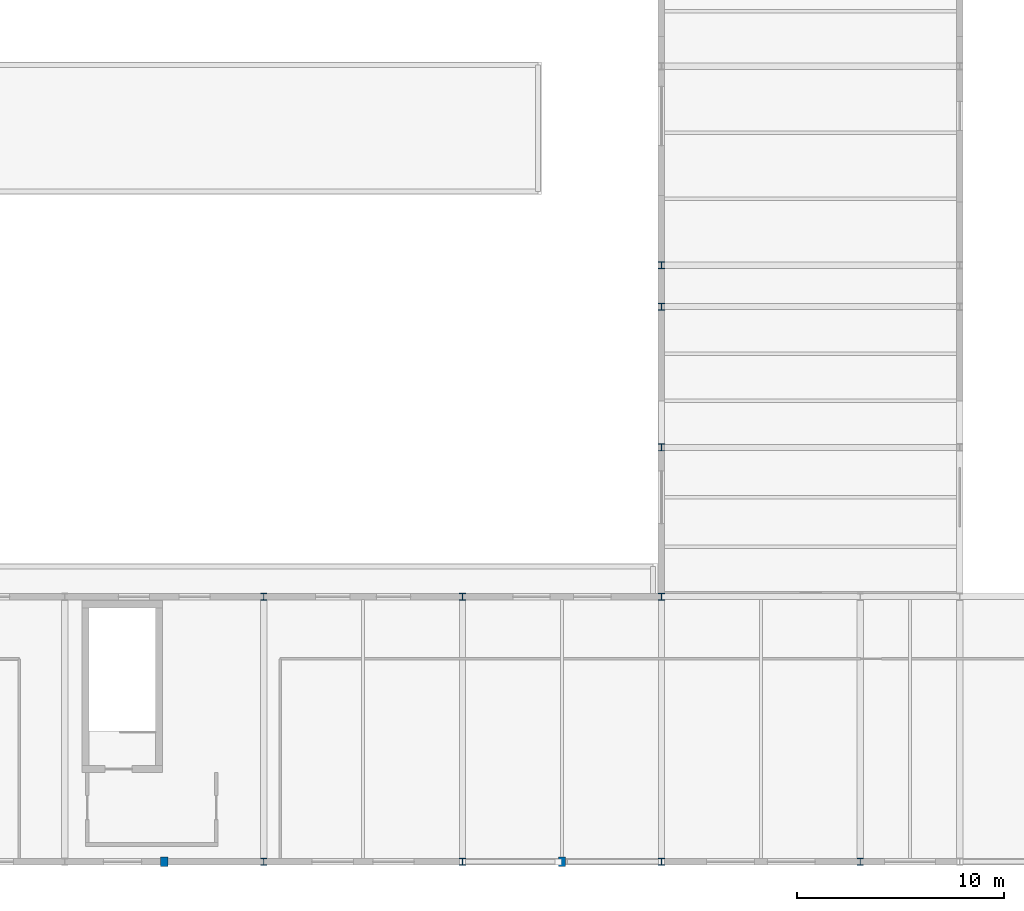
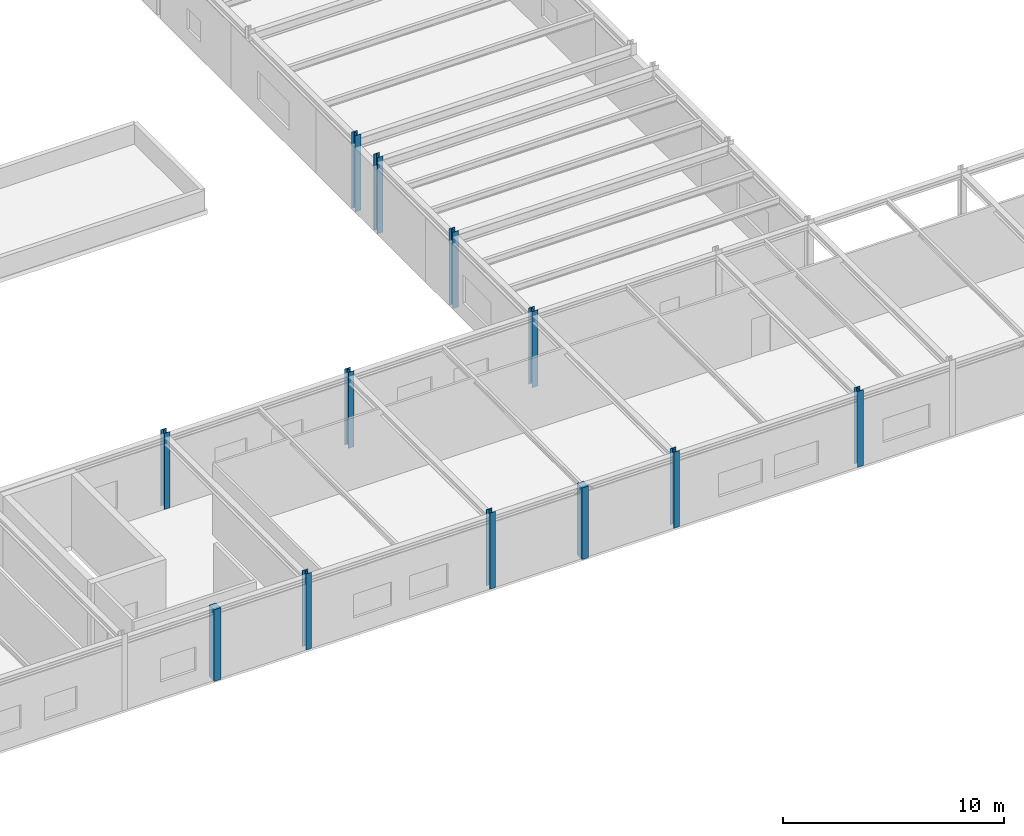
# One storey, part 5 of 99: 12 columns.
"""IFC4 building model written with IfcOpenShell, lengths in metres."""

import ifcopenshell
import ifcopenshell.guid

model = None  # the IFC model being written
_history = None  # IfcOwnerHistory: only IFC2X3 demands one
_inside = {}  # id of a spatial element -> (the spatial element, [elements in it])
_under = {}  # id of a project, library or spatial element -> (it, [spatial elements below it])
_declared = {}  # id of a project -> (the project, [libraries it declares])
_typed = {}  # id of a type object -> (the type object, [elements of that type])
_made_of = {}  # id of a material, layer set ... -> (it, [elements and type objects made of it])


def new_model(schema):
    """Start an empty IFC model of exactly this schema.

    Asked for "IFC4X3", IfcOpenShell would pick the latest addendum, in which some entities
    have other attributes; the version numbers below select the first issue.
    IFC2X3 requires an IfcOwnerHistory on every rooted entity: one is made here for all.
    """
    global model, _history
    if schema == "IFC4X3":
        model = ifcopenshell.file(schema_version=(4, 3, 0, 0))
    else:
        model = ifcopenshell.file(schema=schema)
    _inside.clear()
    _under.clear()
    _declared.clear()
    _typed.clear()
    _made_of.clear()
    _history = None
    if model.schema == "IFC2X3":
        org = make("IfcOrganization", Name="unknown")
        user = make(
            "IfcPersonAndOrganization",
            ThePerson=make("IfcPerson", FamilyName="unknown"),
            TheOrganization=org,
        )
        app = make(
            "IfcApplication",
            ApplicationDeveloper=org,
            Version="unknown",
            ApplicationFullName="unknown",
            ApplicationIdentifier="unknown",
        )
        _history = make(
            "IfcOwnerHistory",
            OwningUser=user,
            OwningApplication=app,
            ChangeAction="ADDED",
            CreationDate=0,
        )
    return model


def make(cls, **values):
    """One entity of the class cls with the attributes given. An attribute that is None is left unset."""
    return model.create_entity(
        cls, **{name: value for name, value in values.items() if value is not None}
    )


def rooted(cls, **values):
    """An entity with a GlobalId (a new one), such as an element, a storey or a relation."""
    return make(cls, GlobalId=ifcopenshell.guid.new(), OwnerHistory=_history, **values)


def si_unit(unit_type, name, prefix=None):
    """IfcSIUnit, for example si_unit("LENGTHUNIT", "METRE", prefix="MILLI")."""
    return make("IfcSIUnit", UnitType=unit_type, Prefix=prefix, Name=name)


def assignment(units):
    """IfcUnitAssignment: the units of a project."""
    return None if units is None else make("IfcUnitAssignment", Units=units)


def point(xyz):
    """IfcCartesianPoint."""
    return None if xyz is None else make("IfcCartesianPoint", Coordinates=xyz)


def direction(xyz):
    """IfcDirection."""
    return None if xyz is None else make("IfcDirection", DirectionRatios=xyz)


def frame(location, z_axis=None, x_axis=None):
    """IfcAxis2Placement3D, a coordinate frame: its origin and axes. An axis left out is left unset."""
    return make(
        "IfcAxis2Placement3D",
        Location=point(location),
        Axis=direction(z_axis),
        RefDirection=direction(x_axis),
    )


def frame_2d(location, x_axis=None):
    """IfcAxis2Placement2D, a coordinate frame in the plane: its origin and x axis."""
    return make(
        "IfcAxis2Placement2D", Location=point(location), RefDirection=direction(x_axis)
    )


def origin():
    """The frame at (0, 0, 0) with its axes left unset."""
    return frame((0.0, 0.0, 0.0))


def origin_2d():
    """The frame at (0, 0) in the plane with its x axis left unset."""
    return frame_2d((0.0, 0.0))


def place(relative_to, where):
    """IfcLocalPlacement: puts the frame where relative to a parent placement (None: the world)."""
    return make(
        "IfcLocalPlacement", PlacementRelTo=relative_to, RelativePlacement=where
    )


def context(
    kind, dimensions, precision=None, world=None, true_north=None, identifier=None
):
    """IfcGeometricRepresentationContext, for example the 3D "Model" context."""
    return make(
        "IfcGeometricRepresentationContext",
        ContextIdentifier=identifier,
        ContextType=kind,
        CoordinateSpaceDimension=dimensions,
        Precision=precision,
        WorldCoordinateSystem=world,
        TrueNorth=true_north,
    )


def subcontext(parent, identifier, kind, view, scale=None):
    """IfcGeometricRepresentationSubContext, for example "Body" below "Model"."""
    return make(
        "IfcGeometricRepresentationSubContext",
        ContextIdentifier=identifier,
        ContextType=kind,
        ParentContext=parent,
        TargetScale=scale,
        TargetView=view,
    )


def project(units=None, contexts=None):
    """IfcProject with its units and contexts."""
    return rooted(
        "IfcProject",
        Name="project",
        RepresentationContexts=contexts,
        UnitsInContext=assignment(units),
    )


def spatial(cls, under=None, at=None, **own):
    """A site, building, storey or space (cls), placed at a placement, below another one or the project."""
    s = rooted(cls, ObjectPlacement=at, **own)
    if under is not None:
        _under.setdefault(under.id(), (under, []))[1].append(s)
    return s


def profile(cls, at=None, kind="AREA", **sizes):
    """A parametric profile (cls). Its sizes go by their IFC names, for example OverallWidth=200.0."""
    return make(cls, ProfileType=kind, Position=at, **sizes)


def rectangle(**sizes):
    """IfcRectangleProfileDef."""
    return profile("IfcRectangleProfileDef", **sizes)


def i_section(**sizes):
    """IfcIShapeProfileDef."""
    return profile("IfcIShapeProfileDef", **sizes)


def extrude(swept, where, along, depth):
    """IfcExtrudedAreaSolid: the profile swept, set in the frame where, extruded along a direction by depth."""
    return make(
        "IfcExtrudedAreaSolid",
        SweptArea=swept,
        Position=where,
        ExtrudedDirection=direction(along),
        Depth=depth,
    )


def shape(context_of_items, identifier, shape_type, items):
    """IfcShapeRepresentation: the items that make up one representation, for example the "Body"."""
    return make(
        "IfcShapeRepresentation",
        ContextOfItems=context_of_items,
        RepresentationIdentifier=identifier,
        RepresentationType=shape_type,
        Items=items,
    )


def material(Name=None, Category=None):
    """IfcMaterial."""
    return make("IfcMaterial", Name=Name, Category=Category)


def material_profile(
    of_material, cross_section, Name=None, Category=None, Priority=None
):
    """IfcMaterialProfile: a cross section and its material."""
    return make(
        "IfcMaterialProfile",
        Name=Name,
        Material=of_material,
        Profile=cross_section,
        Priority=Priority,
        Category=Category,
    )


def profile_set(profiles, Name=None, composite=None):
    """IfcMaterialProfileSet."""
    return make(
        "IfcMaterialProfileSet",
        Name=Name,
        MaterialProfiles=profiles,
        CompositeProfile=composite,
    )


def made_of(thing, what):
    """Note that an element or type object is made of a material, layer set ...; save() writes the relation."""
    if what is not None:
        _made_of.setdefault(what.id(), (what, []))[1].append(thing)
    return thing


def type_object(cls, material=None, **own):
    """A type object (cls), such as IfcWallType, which elements share."""
    return made_of(rooted(cls, **own), material)


def element(
    cls,
    number,
    at=None,
    inside=None,
    cuts=None,
    type_object=None,
    material=None,
    context=None,
    identifier="Body",
    shape_type=None,
    held_by="IfcProductDefinitionShape",
    body=None,
    shapes=None,
    **own,
):
    """One element of the class cls, such as IfcWall. Its Tag is "e" and its number.

    at: its placement. inside: the storey or other place that contains it. cuts: it is an
    opening in that element (IfcRelVoidsElement). A single representation is given by context,
    identifier, shape_type and body (its items); several are given by shapes. held_by: the class
    of the entity that holds the representations. save() writes the other relations.
    """
    e = rooted(cls, Tag="e%d" % number, ObjectPlacement=at, **own)
    if body is not None:
        shapes = [shape(context, identifier, shape_type, body)]
    if shapes is not None:
        e.Representation = make(held_by, Representations=shapes)
    if inside is not None:
        _inside.setdefault(inside.id(), (inside, []))[1].append(e)
    if cuts is not None:
        rooted(
            "IfcRelVoidsElement", RelatingBuildingElement=cuts, RelatedOpeningElement=e
        )
    if type_object is not None:
        _typed.setdefault(type_object.id(), (type_object, []))[1].append(e)
    return made_of(e, material)


def aggregate(whole, parts):
    """IfcRelAggregates: a whole, such as a stair, and the parts it consists of."""
    return rooted("IfcRelAggregates", RelatingObject=whole, RelatedObjects=parts)


def save(model, path):
    """Write the relations noted so far, then the file.

    IfcRelAggregates (storeys below a building ...), IfcRelContainedInSpatialStructure (elements
    in a storey), IfcRelDefinesByType, IfcRelAssociatesMaterial and IfcRelDeclares: one each for
    every whole, place, type object, material and project.
    """
    for whole, parts in _under.values():
        aggregate(whole, parts)
    for where, things in _inside.values():
        rooted(
            "IfcRelContainedInSpatialStructure",
            RelatedElements=things,
            RelatingStructure=where,
        )
    for kind, things in _typed.values():
        rooted("IfcRelDefinesByType", RelatedObjects=things, RelatingType=kind)
    for what, things in _made_of.values():
        rooted("IfcRelAssociatesMaterial", RelatedObjects=things, RelatingMaterial=what)
    for by, libraries in _declared.values():
        rooted("IfcRelDeclares", RelatingContext=by, RelatedDefinitions=libraries)
    model.write(path)


model = new_model("IFC4")

# Units and contexts
model_context = context("Model", 3, precision=1e-05, world=origin(), true_north=direction((0.0, 1.0)))
body_context = subcontext(model_context, "Body", "Model", "MODEL_VIEW")
ifc_project = project(units=[si_unit("LENGTHUNIT", "METRE"), si_unit("AREAUNIT", "SQUARE_METRE"), si_unit("VOLUMEUNIT", "CUBIC_METRE"), si_unit("PLANEANGLEUNIT", "RADIAN"), si_unit("MASSUNIT", "GRAM", prefix="KILO")], contexts=[model_context])

# Site, building, storey
site_placement = place(None, origin())
site = spatial("IfcSite", under=ifc_project, at=site_placement, CompositionType="ELEMENT")
building_placement = place(site_placement, origin())
building = spatial("IfcBuilding", under=site, at=building_placement, Name="Nordkorset Police Headquarters", CompositionType="ELEMENT")
storey_placement = place(building_placement, frame((0.0, 0.0, 5.25)))
storey = spatial("IfcBuildingStorey", under=building, at=storey_placement, Name="L01", CompositionType="ELEMENT", Elevation=5.25)

# Columns
ifc_material_1 = material(Name="Steel S355J2", Category="steel")
ifc_material_profile_1 = material_profile(ifc_material_1, i_section(OverallWidth=0.300048828125, OverallDepth=0.340087890625, WebThickness=0.011962890625, FlangeThickness=0.021484375, FilletRadius=0.027099609375, at=origin_2d()), Name="HEB 340")
ifc_profile_set_1 = profile_set([ifc_material_profile_1], Name="Steel S355J2")
column_type_1 = type_object("IfcColumnType", Name="Col_HEB_340", PredefinedType="COLUMN", material=ifc_profile_set_1)
for number, where, z_axis, x_axis, name in (
    (1, (67.199951171875, 0.0, 0.0), (0.0, 0.0, 1.0), (1.0, 0.0, 0.0), "Structural Column V7_S0_7 L01"),
    (2, (67.199951171875, 12.800048828125, 0.0), (0.0, 0.0, 1.0), (1.0, 0.0, 0.0), "Structural Column V7_S1_7 L01"),
    (3, (76.800048828125, 0.0, 0.0), (0.0, 0.0, 1.0), (1.0, 0.0, 0.0), "Structural Column V7_S0_8 L01"),
    (4, (76.800048828125, 12.800048828125, 0.0), (0.0, 0.0, 1.0), (1.0, 0.0, 0.0), "Structural Column V7_S1_8 L01"),
    (5, (86.39990234375, 0.0, 0.0), (0.0, 0.0, 1.0), (1.0, 0.0, 0.0), "Structural Column V7_S0_9 L01"),
    (6, (86.39990234375, 12.800048828125, 0.0), (0.0, 0.0, 1.0), (1.0, 0.0, 0.0), "Structural Column V7_S1_9 L01"),
    (7, (96.0, 0.0, 0.0), (0.0, 0.0, 1.0), (1.0, 0.0, 0.0), "Structural Column V7_S0_10 L01"),
    (8, (86.39990234375, 20.0, 0.0), (0.0, 0.0, 1.0), (1.0, 0.0, 0.0), "Structural Column V7_EC_0_200 L01"),
    (9, (86.39990234375, 26.800048828125, 0.0), (0.0, 0.0, 1.0), (1.0, 0.0, 0.0), "Structural Column V7_EC_0_268 L01"),
    (10, (86.39990234375, 28.800048828125, 0.0), (0.0, 0.0, 1.0), (1.0, 0.0, 0.0), "Structural Column V7_EC_0_288 L01"),
):
    element("IfcColumn", number, at=place(storey_placement, frame(where, z_axis=z_axis, x_axis=x_axis)), inside=storey, type_object=column_type_1, Name=name, PredefinedType="COLUMN", context=body_context, shape_type="SweptSolid", body=[
        extrude(i_section(OverallWidth=0.300048828125, OverallDepth=0.340087890625, WebThickness=0.011962890625, FlangeThickness=0.021484375, FilletRadius=0.027099609375, at=origin_2d()), origin(), (0.0, 0.0, 1.0), 4.199951171875),
    ])
ifc_material_2 = material(Name="Concrete C45/55", Category="concrete")
ifc_material_profile_2 = material_profile(ifc_material_2, rectangle(XDim=0.35009765625, YDim=0.449951171875, at=origin_2d()), Name="RC 450x350")
ifc_profile_set_2 = profile_set([ifc_material_profile_2], Name="Concrete C45/55")
column_type_2 = type_object("IfcColumnType", Name="Pilaster_RC_450x350", PredefinedType="PILASTER", material=ifc_profile_set_2)
for number, where, z_axis, x_axis, name in (
    (11, (62.39990234375, 0.0, 0.0), (0.0, 0.0, 1.0), (1.0, 0.0, 0.0), "Perimeter Pilaster 05 L01"),
    (12, (81.60009765625, 0.0, 0.0), (0.0, 0.0, 1.0), (1.0, 0.0, 0.0), "Perimeter Pilaster 06 L01"),
):
    element("IfcColumn", number, at=place(storey_placement, frame(where, z_axis=z_axis, x_axis=x_axis)), inside=storey, type_object=column_type_2, Name=name, PredefinedType="PILASTER", context=body_context, shape_type="SweptSolid", body=[
        extrude(rectangle(XDim=0.35009765625, YDim=0.449951171875, at=origin_2d()), origin(), (0.0, 0.0, 1.0), 3.949951171875),
    ])

save(model, "model.ifc")
